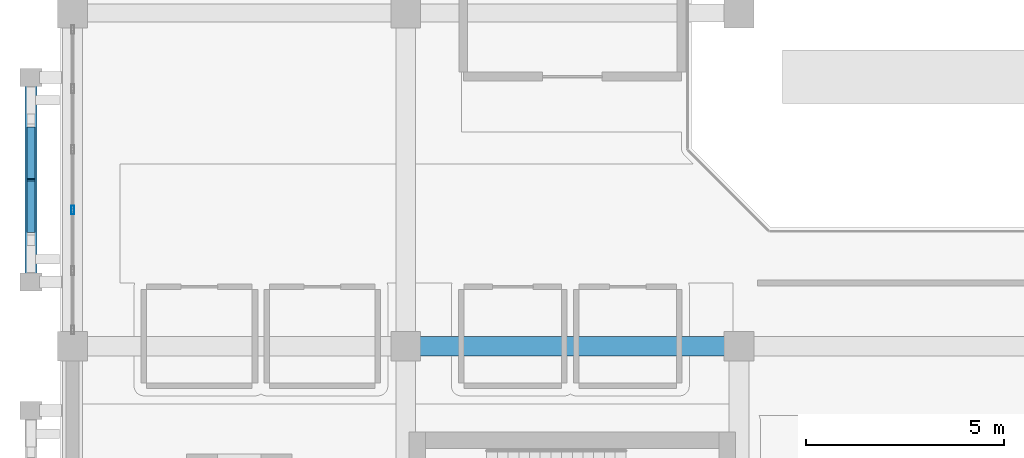
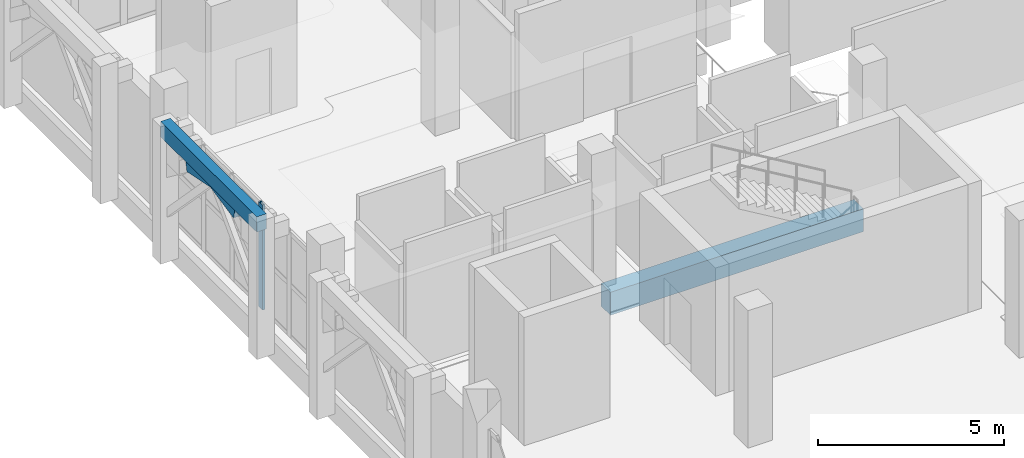
# One storey, part 44 of 114: 3 members, 2 beams, 1 element without a shape of its own.
"""IFC4 building model written with IfcOpenShell, lengths in metres."""

from ifc_helpers import new_model, si_unit, direction, frame, origin, origin_2d, place, context, subcontext, project, spatial, rectangle, hollow_rectangle, extrude, material, layer, layer_set, material_profile, profile_set, type_object, element, aggregate, save


model = new_model("IFC4")

# Units and contexts
model_context = context("Model", 3, precision=1e-05, world=origin(), true_north=direction((0.0, 1.0)))
body_context = subcontext(model_context, "Body", "Model", "MODEL_VIEW")
ifc_project = project(units=[si_unit("LENGTHUNIT", "METRE"), si_unit("AREAUNIT", "SQUARE_METRE"), si_unit("VOLUMEUNIT", "CUBIC_METRE"), si_unit("PLANEANGLEUNIT", "RADIAN"), si_unit("MASSUNIT", "GRAM", prefix="KILO")], contexts=[model_context])

# Site, building, storey
site_placement = place(None, origin())
site = spatial("IfcSite", under=ifc_project, at=site_placement, CompositionType="ELEMENT")
building_placement = place(site_placement, origin())
building = spatial("IfcBuilding", under=site, at=building_placement, Name="Xazarin Passage Department Store", CompositionType="ELEMENT")
storey_placement = place(building_placement, frame((0.0, 0.0, 14.39990234375)))
storey = spatial("IfcBuildingStorey", under=building, at=storey_placement, Name="L03", CompositionType="ELEMENT", Elevation=14.39990234375)

# Curtain wall, member
ifc_material_1 = material(Name="Bronze anodised aluminium", Category="aluminium")
ifc_layer = layer(ifc_material_1, 0.199951171875)
ifc_layer_set = layer_set([ifc_layer], Name="Bronze anodised aluminium")
curtain_wall_type = type_object("IfcCurtainWallType", Name="ARC-CW-VIT2", PredefinedType="NOTDEFINED", material=ifc_layer_set)
curtain_wall_placement = place(storey_placement, origin())
curtain_wall = element("IfcCurtainWall", 1, at=curtain_wall_placement, inside=storey, type_object=curtain_wall_type, Name="L03 V1 Curtain Wall 064", PredefinedType="NOTDEFINED")
ifc_material_profile_1 = material_profile(ifc_material_1, hollow_rectangle(XDim=0.074951171875, YDim=0.219970703125, WallThickness=0.0048828125, at=origin_2d()), Name="ALU 75x220")
ifc_profile_set_1 = profile_set([ifc_material_profile_1], Name="Bronze anodised aluminium")
member_type_1 = type_object("IfcMemberType", Name="ARC-CWM-75x220", PredefinedType="MULLION", material=ifc_profile_set_1)
member_placement = place(storey_placement, frame((0.0, 88.235107421875, 0.0), z_axis=(0.0, 0.0, 1.0), x_axis=(-1.0, 0.0, 0.0)))
member = element("IfcMember", 2, at=member_placement, type_object=member_type_1, Name="CW2 mullion 3", PredefinedType="MULLION", context=body_context, shape_type="SweptSolid", body=[
    extrude(hollow_rectangle(XDim=0.074951171875, YDim=0.219970703125, WallThickness=0.0048828125, at=origin_2d()), origin(), (0.0, 0.0, 1.0), 3.4501953125),
])
aggregate(curtain_wall, [member])

# Beams
ifc_material_2 = material(Name="Concrete C35/45", Category="concrete")
ifc_material_profile_2 = material_profile(ifc_material_2, rectangle(XDim=0.300048828125, YDim=0.5, at=origin_2d()), Name="RC 300x500")
ifc_profile_set_2 = profile_set([ifc_material_profile_2], Name="Concrete C35/45")
beam_type_1 = type_object("IfcBeamType", Name="STR-BM-LN300x500", PredefinedType="LINTEL", material=ifc_profile_set_2)
beam_1_placement = place(storey_placement, frame((-1.050048828125, 86.419921875, 4.25), z_axis=(0.0, 1.0, 0.0), x_axis=(-1.0, 0.0, 0.0)))
element("IfcBeam", 3, at=beam_1_placement, inside=storey, type_object=beam_type_1, Name="L03 V1 Colonnade Spandrel Beam 012", PredefinedType="LINTEL", context=body_context, shape_type="SweptSolid", body=[
    extrude(rectangle(XDim=0.300048828125, YDim=0.5, at=origin_2d()), origin(), (0.0, 0.0, 1.0), 5.16015625),
])
ifc_material_profile_3 = material_profile(ifc_material_2, rectangle(XDim=0.5, YDim=0.75, at=origin_2d()), Name="RC 500x750")
ifc_profile_set_3 = profile_set([ifc_material_profile_3], Name="Concrete C35/45")
beam_type_2 = type_object("IfcBeamType", Name="STR-BM-SP500x750", PredefinedType="SPANDREL", material=ifc_profile_set_3)
beam_2_placement = place(storey_placement, frame((8.679931640625, 84.800048828125, -0.6748046875), z_axis=(1.0, 0.0, 0.0), x_axis=(0.0, 1.0, 0.0)))
element("IfcBeam", 4, at=beam_2_placement, inside=storey, type_object=beam_type_2, Name="L03 Grid Beam M/2-3", PredefinedType="SPANDREL", context=body_context, shape_type="SweptSolid", body=[
    extrude(rectangle(XDim=0.5, YDim=0.75, at=origin_2d()), origin(), (0.0, 0.0, 1.0), 7.840087890625),
])

# Members
ifc_material_3 = material(Name="Concrete C40/50", Category="concrete")
ifc_material_profile_4 = material_profile(ifc_material_3, rectangle(XDim=0.199951171875, YDim=0.360107421875, at=origin_2d()), Name="RC 200x360")
ifc_profile_set_4 = profile_set([ifc_material_profile_4], Name="Concrete C40/50")
member_type_2 = type_object("IfcMemberType", Name="STR-MEM-ARC360", PredefinedType="CHORD", material=ifc_profile_set_4)
for number, where, z_axis, x_axis, name in (
    (5, (-1.050048828125, 87.7099609375, 3.81640625), (0.0, 0.979744705887, 0.200250621188), (-1.0, 0.0, 0.0), "L03 V1 Pierced Lattice Curved Arch 012.2"),
    (6, (-1.050048828125, 89.0, 4.080078125), (0.0, 0.979744705887, -0.200250621188), (-1.0, 0.0, 0.0), "L03 V1 Pierced Lattice Curved Arch 012.3"),
):
    element("IfcMember", number, at=place(storey_placement, frame(where, z_axis=z_axis, x_axis=x_axis)), inside=storey, type_object=member_type_2, Name=name, PredefinedType="CHORD", context=body_context, shape_type="SweptSolid", body=[
        extrude(rectangle(XDim=0.199951171875, YDim=0.360107421875, at=origin_2d()), origin(), (0.0, 0.0, 1.0), 1.316650390625),
    ])

save(model, "model.ifc")
